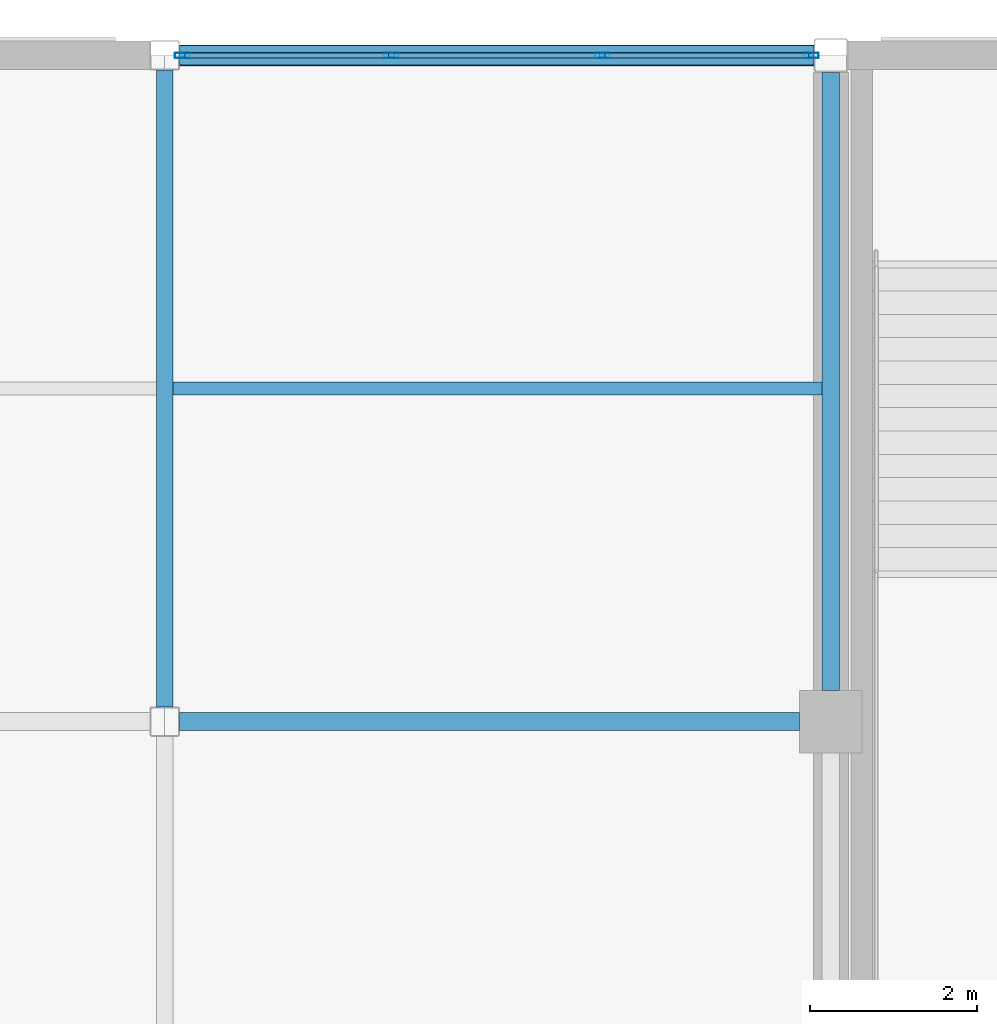
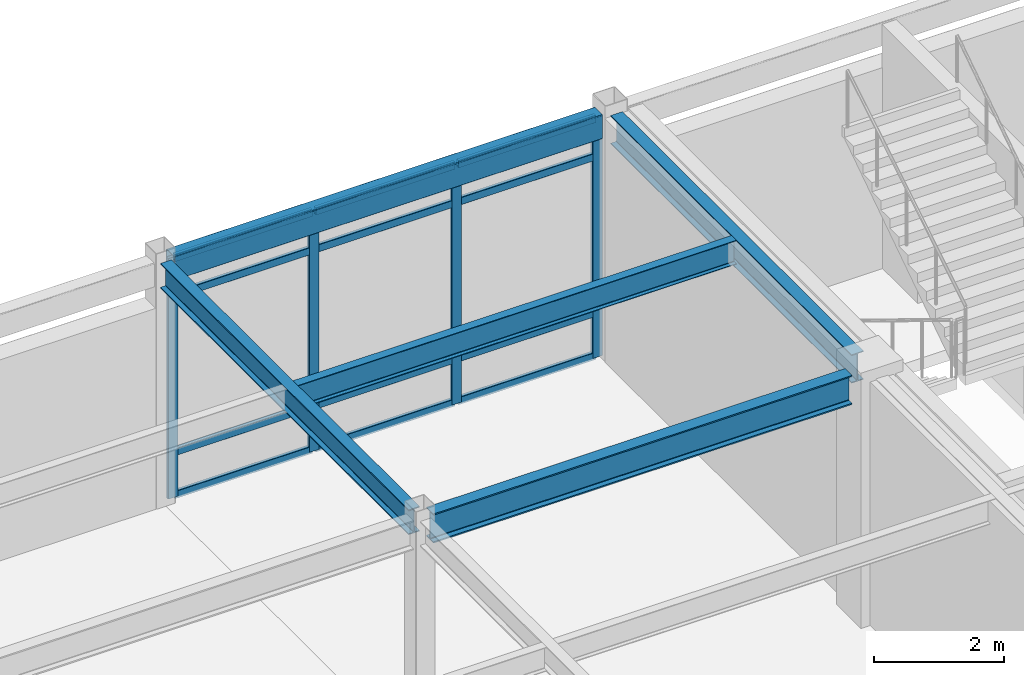
# One storey, part 66 of 117: 16 members, 5 beams, 1 element without a shape of its own.
"""IFC4 building model written with IfcOpenShell, lengths in metres."""

from ifc_helpers import new_model, si_unit, direction, frame, origin, origin_2d, place, context, subcontext, project, spatial, hollow_rectangle, i_section, extrude, material, material_profile, profile_set, type_object, element, aggregate, save


model = new_model("IFC4")

# Units and contexts
model_context = context("Model", 3, precision=1e-05, world=origin(), true_north=direction((0.0, 1.0)))
body_context = subcontext(model_context, "Body", "Model", "MODEL_VIEW")
ifc_project = project(units=[si_unit("LENGTHUNIT", "METRE"), si_unit("AREAUNIT", "SQUARE_METRE"), si_unit("VOLUMEUNIT", "CUBIC_METRE"), si_unit("PLANEANGLEUNIT", "RADIAN"), si_unit("MASSUNIT", "GRAM", prefix="KILO")], contexts=[model_context])

# Site, building, storey
site_placement = place(None, origin())
site = spatial("IfcSite", under=ifc_project, at=site_placement, CompositionType="ELEMENT")
building_placement = place(site_placement, origin())
building = spatial("IfcBuilding", under=site, at=building_placement, Name="Solmirada Galleria", CompositionType="ELEMENT")
storey_placement = place(building_placement, frame((0.0, 0.0, 5.60009765625)))
storey = spatial("IfcBuildingStorey", under=building, at=storey_placement, Name="L01", CompositionType="ELEMENT", Elevation=5.60009765625)

# Beams
ifc_material_1 = material(Name="Steel S355 / ASTM A992 Grade 50", Category="steel")
ifc_material_profile_1 = material_profile(ifc_material_1, i_section(OverallWidth=0.194091796875, OverallDepth=0.468994140625, WebThickness=0.0126953125, FlangeThickness=0.0205078125, FilletRadius=0.013916015625, at=origin_2d()), Name="W18X71")
ifc_profile_set_1 = profile_set([ifc_material_profile_1], Name="Steel S355 / ASTM A992 Grade 50")
beam_type_1 = type_object("IfcBeamType", Name="BM-GIRD-W18B", PredefinedType="BEAM", material=ifc_profile_set_1)
beam_1_placement = place(storey_placement, frame((120.0, 112.177978515625, 4.365478515625), z_axis=(0.0, 1.0, 0.0), x_axis=(-1.0, 0.0, 0.0)))
element("IfcBeam", 1, at=beam_1_placement, inside=storey, type_object=beam_type_1, Name="Primary girder L02 Y(120, 112..120)", PredefinedType="BEAM", context=body_context, shape_type="SweptSolid", body=[
    extrude(i_section(OverallWidth=0.194091796875, OverallDepth=0.468994140625, WebThickness=0.0126953125, FlangeThickness=0.0205078125, FilletRadius=0.013916015625, at=origin_2d()), origin(), (0.0, 0.0, 1.0), 7.64404296875),
])
ifc_material_profile_2 = material_profile(ifc_material_1, i_section(OverallWidth=0.214111328125, OverallDepth=0.549072265625, WebThickness=0.0146484375, FlangeThickness=0.023681640625, FilletRadius=0.014892578125, at=origin_2d()), Name="W21X93")
ifc_profile_set_2 = profile_set([ifc_material_profile_2], Name="Steel S355 / ASTM A992 Grade 50")
beam_type_2 = type_object("IfcBeamType", Name="BM-GIRD-W21A", PredefinedType="BEAM", material=ifc_profile_set_2)
beam_2_placement = place(storey_placement, frame((120.177978515625, 112.0, 4.325439453125), z_axis=(1.0, 0.0, 0.0), x_axis=(0.0, 1.0, 0.0)))
element("IfcBeam", 2, at=beam_2_placement, inside=storey, type_object=beam_type_2, Name="Primary beam L02 X(120..128, 112)", PredefinedType="BEAM", context=body_context, shape_type="SweptSolid", body=[
    extrude(i_section(OverallWidth=0.214111328125, OverallDepth=0.549072265625, WebThickness=0.0146484375, FlangeThickness=0.023681640625, FilletRadius=0.014892578125, at=origin_2d()), origin(), (0.0, 0.0, 1.0), 7.447021484375),
])
ifc_material_profile_3 = material_profile(ifc_material_1, i_section(OverallWidth=0.2099609375, OverallDepth=0.537109375, WebThickness=0.010986328125, FlangeThickness=0.017333984375, FilletRadius=0.014892578125, at=origin_2d()), Name="W21X68")
ifc_profile_set_3 = profile_set([ifc_material_profile_3], Name="Steel S355 / ASTM A992 Grade 50")
beam_type_3 = type_object("IfcBeamType", Name="BM-GIRD-W21B", PredefinedType="BEAM", material=ifc_profile_set_3)
beam_3_placement = place(storey_placement, frame((128.0, 112.375, 4.331298828125), z_axis=(0.0, 1.0, 0.0), x_axis=(-1.0, 0.0, 0.0)))
element("IfcBeam", 3, at=beam_3_placement, inside=storey, type_object=beam_type_3, Name="Primary girder L02 Y(128, 112..120)", PredefinedType="BEAM", context=body_context, shape_type="SweptSolid", body=[
    extrude(i_section(OverallWidth=0.2099609375, OverallDepth=0.537109375, WebThickness=0.010986328125, FlangeThickness=0.017333984375, FilletRadius=0.014892578125, at=origin_2d()), origin(), (0.0, 0.0, 1.0), 7.422119140625),
])
ifc_material_profile_4 = material_profile(ifc_material_1, i_section(OverallWidth=0.152099609375, OverallDepth=0.449951171875, WebThickness=0.007568359375, FlangeThickness=0.0107421875, FilletRadius=0.011962890625, at=origin_2d()), Name="W18X35")
ifc_profile_set_4 = profile_set([ifc_material_profile_4], Name="Steel S355 / ASTM A992 Grade 50")
beam_type_4 = type_object("IfcBeamType", Name="BM-JST-W18B", PredefinedType="JOIST", material=ifc_profile_set_4)
beam_4_placement = place(storey_placement, frame((120.096923828125, 116.0, 4.375), z_axis=(1.0, 0.0, 0.0), x_axis=(0.0, 1.0, 0.0)))
element("IfcBeam", 4, at=beam_4_placement, inside=storey, type_object=beam_type_4, Name="Composite floor joist L02 (120..128, 116.0)", PredefinedType="JOIST", context=body_context, shape_type="SweptSolid", body=[
    extrude(i_section(OverallWidth=0.152099609375, OverallDepth=0.449951171875, WebThickness=0.007568359375, FlangeThickness=0.0107421875, FilletRadius=0.011962890625, at=origin_2d()), origin(), (0.0, 0.0, 1.0), 7.798095703125),
])
ifc_material_2 = material(Name="Steel S355 / ASTM A500 Grade C", Category="steel")
ifc_material_profile_5 = material_profile(ifc_material_2, hollow_rectangle(XDim=0.25390625, YDim=0.45703125, WallThickness=0.01171875, InnerFilletRadius=0.01171875, OuterFilletRadius=0.023681640625, at=origin_2d()), Name="HSS18X10X1/2")
ifc_profile_set_5 = profile_set([ifc_material_profile_5], Name="Steel S355 / ASTM A500 Grade C")
beam_type_5 = type_object("IfcBeamType", Name="BM-SPAND-W18", PredefinedType="SPANDREL", material=ifc_profile_set_5)
beam_5_placement = place(storey_placement, frame((120.177978515625, 120.0, 4.371337890625), z_axis=(1.0, 0.0, 0.0), x_axis=(0.0, 1.0, 0.0)))
element("IfcBeam", 5, at=beam_5_placement, inside=storey, type_object=beam_type_5, Name="Primary beam L02 X(120..128, 120)", PredefinedType="SPANDREL", context=body_context, shape_type="SweptSolid", body=[
    extrude(hollow_rectangle(XDim=0.25390625, YDim=0.45703125, WallThickness=0.01171875, InnerFilletRadius=0.01171875, OuterFilletRadius=0.023681640625, at=origin_2d()), origin(), (0.0, 0.0, 1.0), 7.619140625),
])

# Curtain wall, members
ifc_material_3 = material(Name="Impact-resistant low-E double glazing", Category="glass")
curtain_wall_type = type_object("IfcCurtainWallType", Name="CW-FZ2-L01-B3-L076", PredefinedType="NOTDEFINED", material=ifc_material_3)
curtain_wall_placement = place(storey_placement, origin())
curtain_wall = element("IfcCurtainWall", 6, at=curtain_wall_placement, inside=storey, type_object=curtain_wall_type, Name="Terrace and arcade storefront CW-L01-056", PredefinedType="NOTDEFINED")
ifc_material_4 = material(Name="Anodised aluminium framing", Category="aluminium")
ifc_material_profile_6 = material_profile(ifc_material_4, hollow_rectangle(XDim=0.06494140625, YDim=0.179931640625, WallThickness=0.00390625, InnerFilletRadius=0.00390625, OuterFilletRadius=0.008056640625, at=origin_2d()), Name="ALU-MULL-180X65")
ifc_profile_set_6 = profile_set([ifc_material_profile_6], Name="Anodised aluminium framing")
member_type_1 = type_object("IfcMemberType", Name="CW-MULL-180", PredefinedType="MULLION", material=ifc_profile_set_6)
member_1_placement = place(storey_placement, frame((120.21240234375, 120.0, 0.0), z_axis=(0.0, 0.0, 1.0), x_axis=(0.0, 1.0, 0.0)))
member_1 = element("IfcMember", 7, at=member_1_placement, type_object=member_type_1, Name="CW15 mullion 1", PredefinedType="MULLION", context=body_context, shape_type="SweptSolid", body=[
    extrude(hollow_rectangle(XDim=0.06494140625, YDim=0.179931640625, WallThickness=0.00390625, InnerFilletRadius=0.00390625, OuterFilletRadius=0.008056640625, at=origin_2d()), origin(), (0.0, 0.0, 1.0), 4.52001953125),
])
member_2_placement = place(storey_placement, frame((122.71826171875, 120.0, 0.0), z_axis=(0.0, 0.0, 1.0), x_axis=(0.0, 1.0, 0.0)))
member_2 = element("IfcMember", 8, at=member_2_placement, type_object=member_type_1, Name="CW15 mullion 2", PredefinedType="MULLION", context=body_context, shape_type="SweptSolid", body=[
    extrude(hollow_rectangle(XDim=0.06494140625, YDim=0.179931640625, WallThickness=0.00390625, InnerFilletRadius=0.00390625, OuterFilletRadius=0.008056640625, at=origin_2d()), origin(), (0.0, 0.0, 1.0), 4.52001953125),
])
member_3_placement = place(storey_placement, frame((125.256591796875, 120.0, 0.0), z_axis=(0.0, 0.0, 1.0), x_axis=(0.0, 1.0, 0.0)))
member_3 = element("IfcMember", 9, at=member_3_placement, type_object=member_type_1, Name="CW15 mullion 3", PredefinedType="MULLION", context=body_context, shape_type="SweptSolid", body=[
    extrude(hollow_rectangle(XDim=0.06494140625, YDim=0.179931640625, WallThickness=0.00390625, InnerFilletRadius=0.00390625, OuterFilletRadius=0.008056640625, at=origin_2d()), origin(), (0.0, 0.0, 1.0), 4.52001953125),
])
member_4_placement = place(storey_placement, frame((127.762451171875, 120.0, 0.0), z_axis=(0.0, 0.0, 1.0), x_axis=(0.0, 1.0, 0.0)))
member_4 = element("IfcMember", 10, at=member_4_placement, type_object=member_type_1, Name="CW15 mullion 4", PredefinedType="MULLION", context=body_context, shape_type="SweptSolid", body=[
    extrude(hollow_rectangle(XDim=0.06494140625, YDim=0.179931640625, WallThickness=0.00390625, InnerFilletRadius=0.00390625, OuterFilletRadius=0.008056640625, at=origin_2d()), origin(), (0.0, 0.0, 1.0), 4.52001953125),
])
ifc_material_profile_7 = material_profile(ifc_material_4, hollow_rectangle(XDim=0.06494140625, YDim=0.139892578125, WallThickness=0.00341796875, InnerFilletRadius=0.00341796875, OuterFilletRadius=0.007080078125, at=origin_2d()), Name="ALU-TRAN-140X65")
ifc_profile_set_7 = profile_set([ifc_material_profile_7], Name="Anodised aluminium framing")
member_type_2 = type_object("IfcMemberType", Name="CW-TRAN-140", PredefinedType="USERDEFINED", material=ifc_profile_set_7)
member_5_placement = place(storey_placement, frame((120.2451171875, 120.0, 0.032470703125), z_axis=(1.0, 0.0, 0.0), x_axis=(0.0, 1.0, 0.0)))
member_5 = element("IfcMember", 11, at=member_5_placement, type_object=member_type_2, Name="CW15 transom 1.1", ObjectType="TRANSOM", PredefinedType="USERDEFINED", context=body_context, shape_type="SweptSolid", body=[
    extrude(hollow_rectangle(XDim=0.06494140625, YDim=0.139892578125, WallThickness=0.00341796875, InnerFilletRadius=0.00341796875, OuterFilletRadius=0.007080078125, at=origin_2d()), origin(), (0.0, 0.0, 1.0), 2.440673828125),
])
member_6_placement = place(storey_placement, frame((120.2451171875, 120.0, 0.83984375), z_axis=(1.0, 0.0, 0.0), x_axis=(0.0, 1.0, 0.0)))
member_6 = element("IfcMember", 12, at=member_6_placement, type_object=member_type_2, Name="CW15 transom 1.2", ObjectType="TRANSOM", PredefinedType="USERDEFINED", context=body_context, shape_type="SweptSolid", body=[
    extrude(hollow_rectangle(XDim=0.06494140625, YDim=0.139892578125, WallThickness=0.00341796875, InnerFilletRadius=0.00341796875, OuterFilletRadius=0.007080078125, at=origin_2d()), origin(), (0.0, 0.0, 1.0), 2.440673828125),
])
member_7_placement = place(storey_placement, frame((120.2451171875, 120.0, 3.77978515625), z_axis=(1.0, 0.0, 0.0), x_axis=(0.0, 1.0, 0.0)))
member_7 = element("IfcMember", 13, at=member_7_placement, type_object=member_type_2, Name="CW15 transom 1.3", ObjectType="TRANSOM", PredefinedType="USERDEFINED", context=body_context, shape_type="SweptSolid", body=[
    extrude(hollow_rectangle(XDim=0.06494140625, YDim=0.139892578125, WallThickness=0.00341796875, InnerFilletRadius=0.00341796875, OuterFilletRadius=0.007080078125, at=origin_2d()), origin(), (0.0, 0.0, 1.0), 2.440673828125),
])
member_8_placement = place(storey_placement, frame((120.2451171875, 120.0, 4.4873046875), z_axis=(1.0, 0.0, 0.0), x_axis=(0.0, 1.0, 0.0)))
member_8 = element("IfcMember", 14, at=member_8_placement, type_object=member_type_2, Name="CW15 transom 1.4", ObjectType="TRANSOM", PredefinedType="USERDEFINED", context=body_context, shape_type="SweptSolid", body=[
    extrude(hollow_rectangle(XDim=0.06494140625, YDim=0.139892578125, WallThickness=0.00341796875, InnerFilletRadius=0.00341796875, OuterFilletRadius=0.007080078125, at=origin_2d()), origin(), (0.0, 0.0, 1.0), 2.440673828125),
])
member_9_placement = place(storey_placement, frame((122.750732421875, 120.0, 0.032470703125), z_axis=(1.0, 0.0, 0.0), x_axis=(0.0, 1.0, 0.0)))
member_9 = element("IfcMember", 15, at=member_9_placement, type_object=member_type_2, Name="CW15 transom 2.1", ObjectType="TRANSOM", PredefinedType="USERDEFINED", context=body_context, shape_type="SweptSolid", body=[
    extrude(hollow_rectangle(XDim=0.06494140625, YDim=0.139892578125, WallThickness=0.00341796875, InnerFilletRadius=0.00341796875, OuterFilletRadius=0.007080078125, at=origin_2d()), origin(), (0.0, 0.0, 1.0), 2.473388671875),
])
member_10_placement = place(storey_placement, frame((122.750732421875, 120.0, 0.83984375), z_axis=(1.0, 0.0, 0.0), x_axis=(0.0, 1.0, 0.0)))
member_10 = element("IfcMember", 16, at=member_10_placement, type_object=member_type_2, Name="CW15 transom 2.2", ObjectType="TRANSOM", PredefinedType="USERDEFINED", context=body_context, shape_type="SweptSolid", body=[
    extrude(hollow_rectangle(XDim=0.06494140625, YDim=0.139892578125, WallThickness=0.00341796875, InnerFilletRadius=0.00341796875, OuterFilletRadius=0.007080078125, at=origin_2d()), origin(), (0.0, 0.0, 1.0), 2.473388671875),
])
member_11_placement = place(storey_placement, frame((122.750732421875, 120.0, 3.77978515625), z_axis=(1.0, 0.0, 0.0), x_axis=(0.0, 1.0, 0.0)))
member_11 = element("IfcMember", 17, at=member_11_placement, type_object=member_type_2, Name="CW15 transom 2.3", ObjectType="TRANSOM", PredefinedType="USERDEFINED", context=body_context, shape_type="SweptSolid", body=[
    extrude(hollow_rectangle(XDim=0.06494140625, YDim=0.139892578125, WallThickness=0.00341796875, InnerFilletRadius=0.00341796875, OuterFilletRadius=0.007080078125, at=origin_2d()), origin(), (0.0, 0.0, 1.0), 2.473388671875),
])
member_12_placement = place(storey_placement, frame((122.750732421875, 120.0, 4.4873046875), z_axis=(1.0, 0.0, 0.0), x_axis=(0.0, 1.0, 0.0)))
member_12 = element("IfcMember", 18, at=member_12_placement, type_object=member_type_2, Name="CW15 transom 2.4", ObjectType="TRANSOM", PredefinedType="USERDEFINED", context=body_context, shape_type="SweptSolid", body=[
    extrude(hollow_rectangle(XDim=0.06494140625, YDim=0.139892578125, WallThickness=0.00341796875, InnerFilletRadius=0.00341796875, OuterFilletRadius=0.007080078125, at=origin_2d()), origin(), (0.0, 0.0, 1.0), 2.473388671875),
])
member_13_placement = place(storey_placement, frame((125.2890625, 120.0, 0.032470703125), z_axis=(1.0, 0.0, 0.0), x_axis=(0.0, 1.0, 0.0)))
member_13 = element("IfcMember", 19, at=member_13_placement, type_object=member_type_2, Name="CW15 transom 3.1", ObjectType="TRANSOM", PredefinedType="USERDEFINED", context=body_context, shape_type="SweptSolid", body=[
    extrude(hollow_rectangle(XDim=0.06494140625, YDim=0.139892578125, WallThickness=0.00341796875, InnerFilletRadius=0.00341796875, OuterFilletRadius=0.007080078125, at=origin_2d()), origin(), (0.0, 0.0, 1.0), 2.44091796875),
])
member_14_placement = place(storey_placement, frame((125.2890625, 120.0, 0.83984375), z_axis=(1.0, 0.0, 0.0), x_axis=(0.0, 1.0, 0.0)))
member_14 = element("IfcMember", 20, at=member_14_placement, type_object=member_type_2, Name="CW15 transom 3.2", ObjectType="TRANSOM", PredefinedType="USERDEFINED", context=body_context, shape_type="SweptSolid", body=[
    extrude(hollow_rectangle(XDim=0.06494140625, YDim=0.139892578125, WallThickness=0.00341796875, InnerFilletRadius=0.00341796875, OuterFilletRadius=0.007080078125, at=origin_2d()), origin(), (0.0, 0.0, 1.0), 2.44091796875),
])
member_15_placement = place(storey_placement, frame((125.2890625, 120.0, 3.77978515625), z_axis=(1.0, 0.0, 0.0), x_axis=(0.0, 1.0, 0.0)))
member_15 = element("IfcMember", 21, at=member_15_placement, type_object=member_type_2, Name="CW15 transom 3.3", ObjectType="TRANSOM", PredefinedType="USERDEFINED", context=body_context, shape_type="SweptSolid", body=[
    extrude(hollow_rectangle(XDim=0.06494140625, YDim=0.139892578125, WallThickness=0.00341796875, InnerFilletRadius=0.00341796875, OuterFilletRadius=0.007080078125, at=origin_2d()), origin(), (0.0, 0.0, 1.0), 2.44091796875),
])
member_16_placement = place(storey_placement, frame((125.2890625, 120.0, 4.4873046875), z_axis=(1.0, 0.0, 0.0), x_axis=(0.0, 1.0, 0.0)))
member_16 = element("IfcMember", 22, at=member_16_placement, type_object=member_type_2, Name="CW15 transom 3.4", ObjectType="TRANSOM", PredefinedType="USERDEFINED", context=body_context, shape_type="SweptSolid", body=[
    extrude(hollow_rectangle(XDim=0.06494140625, YDim=0.139892578125, WallThickness=0.00341796875, InnerFilletRadius=0.00341796875, OuterFilletRadius=0.007080078125, at=origin_2d()), origin(), (0.0, 0.0, 1.0), 2.44091796875),
])
aggregate(curtain_wall, [member_1, member_2, member_3, member_4, member_5, member_6, member_7, member_8, member_9, member_10, member_11, member_12, member_13, member_14, member_15, member_16])

save(model, "model.ifc")
